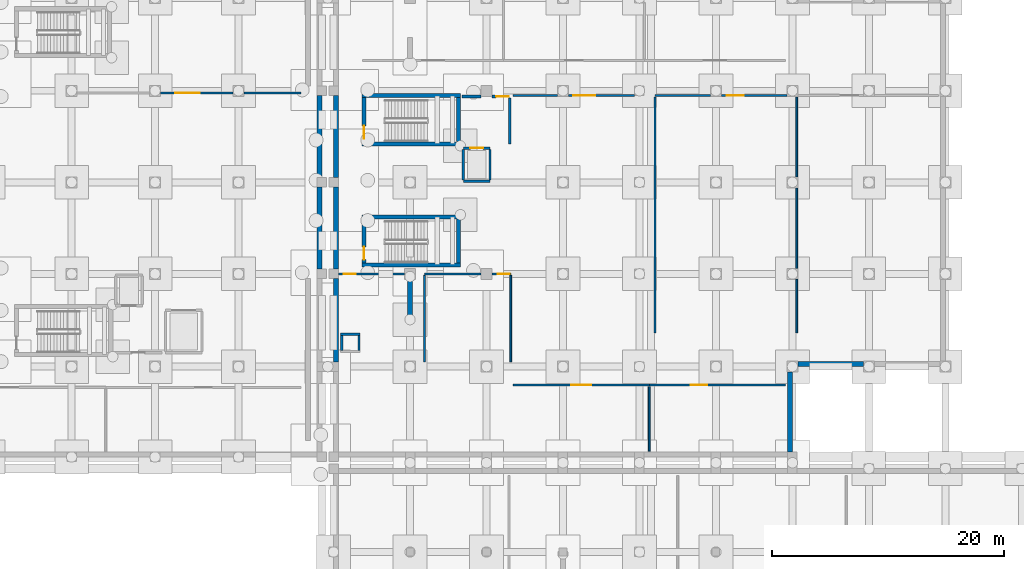
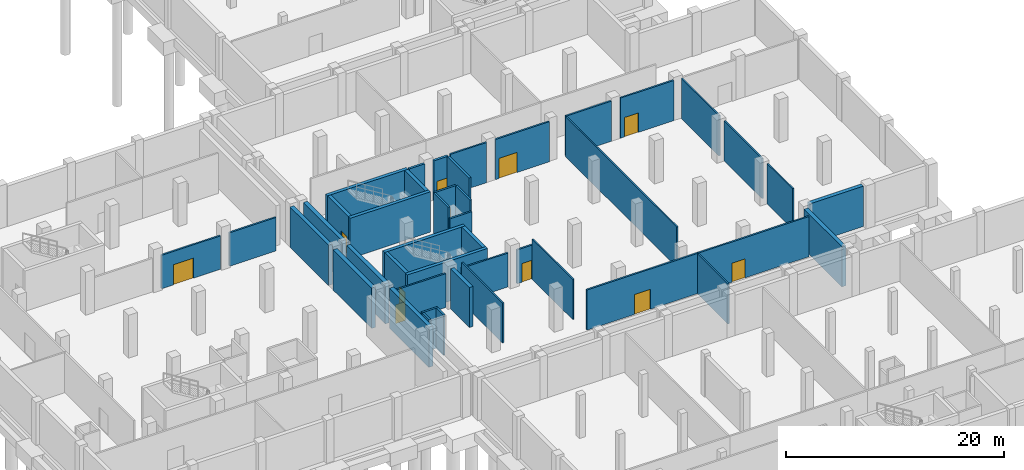
# One storey, part 17 of 29: 44 walls, 11 doors, 11 openings.
"""IFC4 building model written with IfcOpenShell, lengths in metres."""

from ifc_helpers import new_model, si_unit, direction, frame, frame_2d, origin, place, context, subcontext, project, spatial, rectangle, extrude, material, layer, layer_set, type_object, element, fill, save


model = new_model("IFC4")

# Units and contexts
model_context = context("Model", 3, precision=1e-05, world=origin(), true_north=direction((0.0, 1.0)))
body_context = subcontext(model_context, "Body", "Model", "MODEL_VIEW")
ifc_project = project(units=[si_unit("LENGTHUNIT", "METRE"), si_unit("AREAUNIT", "SQUARE_METRE"), si_unit("VOLUMEUNIT", "CUBIC_METRE"), si_unit("PLANEANGLEUNIT", "RADIAN"), si_unit("MASSUNIT", "GRAM", prefix="KILO")], contexts=[model_context])

# Site, building, storey
site_placement = place(None, origin())
site = spatial("IfcSite", under=ifc_project, at=site_placement, CompositionType="ELEMENT")
building_placement = place(site_placement, origin())
building = spatial("IfcBuilding", under=site, at=building_placement, Name="Kelarvand Opera House", CompositionType="ELEMENT")
storey_placement = place(building_placement, frame((0.0, 0.0, -9.60009765625)))
storey = spatial("IfcBuildingStorey", under=building, at=storey_placement, Name="B2", CompositionType="ELEMENT", Elevation=-9.60009765625)

# Walls
ifc_material_1 = material(Name="Acoustic double-stud gypsum partition")
ifc_layer_1 = layer(ifc_material_1, 0.14990234375, Name="Acoustic double-stud gypsum partition")
ifc_layer_set_1 = layer_set([ifc_layer_1], Name="Acoustic double-stud gypsum partition")
wall_type_1 = type_object("IfcWallType", Name="Acoustic Room Partition Wall 150", PredefinedType="PARTITIONING", material=ifc_layer_set_1)
wall_1_placement = place(storey_placement, frame((116.73291015625, 49.5, 0.0), z_axis=(0.0, 0.0, 1.0), x_axis=(0.0, 1.0, 0.0)))
element("IfcWall", 1, at=wall_1_placement, inside=storey, type_object=wall_type_1, Name="V1 B2 Partition Wall IW-150 (34)", PredefinedType="PARTITIONING", context=body_context, shape_type="SweptSolid", body=[
    extrude(rectangle(XDim=20.360107421875, YDim=0.14990234375, at=frame_2d((10.18017578125, 0.0))), origin(), (0.0, 0.0, 1.0), 4.4921875),
])
wall_2_placement = place(storey_placement, frame((128.967041015625, 49.5, 0.0), z_axis=(0.0, 0.0, 1.0), x_axis=(0.0, 1.0, 0.0)))
element("IfcWall", 2, at=wall_2_placement, inside=storey, type_object=wall_type_1, Name="V1 B2 Partition Wall IW-150 (37)", PredefinedType="PARTITIONING", context=body_context, shape_type="SweptSolid", body=[
    extrude(rectangle(XDim=4.625, YDim=0.14990234375, at=frame_2d((2.3125, 0.0))), origin(), (0.0, 0.0, 1.0), 4.4921875),
])
wall_3_placement = place(storey_placement, frame((128.967041015625, 55.074951171875, 0.0), z_axis=(0.0, 0.0, 1.0), x_axis=(0.0, 1.0, 0.0)))
element("IfcWall", 3, at=wall_3_placement, inside=storey, type_object=wall_type_1, Name="V1 B2 Partition Wall IW-150 (38)", PredefinedType="PARTITIONING", context=body_context, shape_type="SweptSolid", body=[
    extrude(rectangle(XDim=6.949951171875, YDim=0.14990234375, at=frame_2d((3.47509765625, 0.0))), origin(), (0.0, 0.0, 1.0), 4.4921875),
])
wall_4_placement = place(storey_placement, frame((128.967041015625, 62.97509765625, 0.0), z_axis=(0.0, 0.0, 1.0), x_axis=(0.0, 1.0, 0.0)))
element("IfcWall", 4, at=wall_4_placement, inside=storey, type_object=wall_type_1, Name="V1 B2 Partition Wall IW-150 (39)", PredefinedType="PARTITIONING", context=body_context, shape_type="SweptSolid", body=[
    extrude(rectangle(XDim=6.885009765625, YDim=0.14990234375, at=frame_2d((3.4423828125, 0.0))), origin(), (0.0, 0.0, 1.0), 4.4921875),
])
for number, where, z_axis, x_axis, name in (
    (5, (96.85009765625, 47.0, 0.0), (0.0, 0.0, 1.0), (0.0, 1.0, 0.0), "V1 B2 Partition Wall IW-150 (43)"),
    (6, (104.300048828125, 47.0, 0.0), (0.0, 0.0, 1.0), (0.0, 1.0, 0.0), "V1 B2 Partition Wall IW-150 (44)"),
):
    element("IfcWall", number, at=place(storey_placement, frame(where, z_axis=z_axis, x_axis=x_axis)), inside=storey, type_object=wall_type_1, Name=name, PredefinedType="PARTITIONING", context=body_context, shape_type="SweptSolid", body=[
        extrude(rectangle(XDim=7.4599609375, YDim=0.14990234375, at=frame_2d((3.72998046875, 0.0))), origin(), (0.0, 0.0, 1.0), 4.4921875),
    ])
wall_5_placement = place(storey_placement, frame((116.25, 39.300048828125, 0.0), z_axis=(0.0, 0.0, 1.0), x_axis=(0.0, 1.0, 0.0)))
element("IfcWall", 7, at=wall_5_placement, inside=storey, type_object=wall_type_1, Name="V1 B2 Partition Wall IW-150 (54)", PredefinedType="PARTITIONING", context=body_context, shape_type="SweptSolid", body=[
    extrude(rectangle(XDim=5.56005859375, YDim=0.14990234375, at=frame_2d((2.780029296875, 0.0))), origin(), (0.0, 0.0, 1.0), 4.4921875),
])
ifc_material_2 = material(Name="Concrete C35/45", Category="concrete")
ifc_layer_2 = layer(ifc_material_2, 0.419921875, Name="Concrete C35/45", Category="concrete")
ifc_layer_set_2 = layer_set([ifc_layer_2], Name="Concrete C35/45")
wall_type_2 = type_object("IfcWallType", Name="Basement Perimeter Retaining Wall 420", PredefinedType="SHEAR", material=ifc_layer_set_2)
wall_6_placement = place(storey_placement, frame((89.2099609375, 47.010009765625, 0.0), z_axis=(0.0, 0.0, 1.0), x_axis=(0.0, 1.0, 0.0)))
element("IfcWall", 8, at=wall_6_placement, inside=storey, type_object=wall_type_2, Name="V1 B2 Retaining Wall 8", PredefinedType="SHEAR", context=body_context, shape_type="SweptSolid", body=[
    extrude(rectangle(XDim=7.179931640625, YDim=0.419921875, at=frame_2d((3.58984375, 0.0))), origin(), (0.0, 0.0, 1.0), 4.5),
])
for number, where, z_axis, x_axis, name in (
    (9, (89.2099609375, 55.010009765625, 0.0), (0.0, 0.0, 1.0), (0.0, 1.0, 0.0), "V1 B2 Retaining Wall 9"),
    (10, (89.2099609375, 62.909912109375, 0.0), (0.0, 0.0, 1.0), (0.0, 1.0, 0.0), "V1 B2 Retaining Wall 10"),
):
    element("IfcWall", number, at=place(storey_placement, frame(where, z_axis=z_axis, x_axis=x_axis)), inside=storey, type_object=wall_type_2, Name=name, PredefinedType="SHEAR", context=body_context, shape_type="SweptSolid", body=[
        extrude(rectangle(XDim=7.080078125, YDim=0.419921875, at=frame_2d((3.5400390625, 0.0))), origin(), (0.0, 0.0, 1.0), 4.5),
    ])
wall_7_placement = place(storey_placement, frame((134.72509765625, 46.81005859375, 0.0), z_axis=(0.0, 0.0, 1.0), x_axis=(-1.0, 0.0, 0.0)))
element("IfcWall", 11, at=wall_7_placement, inside=storey, type_object=wall_type_2, Name="V1 B2 Retaining Wall 27", PredefinedType="SHEAR", context=body_context, shape_type="SweptSolid", body=[
    extrude(rectangle(XDim=5.650146484375, YDim=0.419921875, at=frame_2d((2.8251953125, 0.0))), origin(), (0.0, 0.0, 1.0), 4.5),
])
wall_8_placement = place(storey_placement, frame((128.389892578125, 46.125, 0.0), z_axis=(0.0, 0.0, 1.0), x_axis=(0.0, -1.0, 0.0)))
element("IfcWall", 12, at=wall_8_placement, inside=storey, type_object=wall_type_2, Name="V1 B2 Retaining Wall 28", PredefinedType="SHEAR", context=body_context, shape_type="SweptSolid", body=[
    extrude(rectangle(XDim=6.9150390625, YDim=0.419921875, at=frame_2d((3.45751953125, 0.0))), origin(), (0.0, 0.0, 1.0), 4.5),
])
for number, where, z_axis, x_axis, name in (
    (13, (87.7900390625, 69.989990234375, 0.0), (0.0, 0.0, 1.0), (0.0, -1.0, 0.0), "V2 B2 Retaining Wall 178"),
    (14, (87.7900390625, 62.090087890625, 0.0), (0.0, 0.0, 1.0), (0.0, -1.0, 0.0), "V2 B2 Retaining Wall 179"),
):
    element("IfcWall", number, at=place(storey_placement, frame(where, z_axis=z_axis, x_axis=x_axis)), inside=storey, type_object=wall_type_2, Name=name, PredefinedType="SHEAR", context=body_context, shape_type="SweptSolid", body=[
        extrude(rectangle(XDim=7.080078125, YDim=0.419921875, at=frame_2d((3.5400390625, 0.0))), origin(), (0.0, 0.0, 1.0), 4.5),
    ])
ifc_material_3 = material(Name="Concrete C40/50", Category="concrete")
ifc_layer_3 = layer(ifc_material_3, 0.35009765625, Name="Concrete C40/50", Category="concrete")
ifc_layer_set_3 = layer_set([ifc_layer_3], Name="Concrete C40/50")
wall_type_3 = type_object("IfcWallType", Name="Core Stair and Lift Shear Wall 350", PredefinedType="SHEAR", material=ifc_layer_set_3)
for number, where, z_axis, x_axis, name in (
    (15, (91.449951171875, 65.824951171875, 0.0), (0.0, 0.0, 1.0), (1.0, 0.0, 0.0), "C1 Stair Core Shear Wall S B2"),
    (16, (99.949951171875, 69.97509765625, 0.0), (0.0, 0.0, 1.0), (-1.0, 0.0, 0.0), "C1 Stair Core Shear Wall N B2"),
):
    element("IfcWall", number, at=place(storey_placement, frame(where, z_axis=z_axis, x_axis=x_axis)), inside=storey, type_object=wall_type_3, Name=name, PredefinedType="SHEAR", context=body_context, shape_type="SweptSolid", body=[
        extrude(rectangle(XDim=8.5, YDim=0.35009765625, at=frame_2d((4.25, 0.0))), origin(), (0.0, 0.0, 1.0), 4.5),
    ])

# Wall, opening, door
wall_9_placement = place(storey_placement, frame((91.625, 66.0, 0.0), z_axis=(0.0, 0.0, 1.0), x_axis=(0.0, 1.0, 0.0)))
wall_9 = element("IfcWall", 17, at=wall_9_placement, inside=storey, type_object=wall_type_3, Name="C1 Stair Core Shear Wall W B2", PredefinedType="SHEAR", context=body_context, shape_type="SweptSolid", body=[
    extrude(rectangle(XDim=3.800048828125, YDim=0.35009765625, at=frame_2d((1.89990234375, 0.0))), origin(), (0.0, 0.0, 1.0), 4.5),
])
opening_1_placement = place(wall_9_placement, frame((0.280029296875, 0.0, 0.0)))
opening_1 = element("IfcOpeningElement", 18, at=opening_1_placement, cuts=wall_9, Name="Opening FD-01", PredefinedType="OPENING", context=body_context, shape_type="SweptSolid", body=[
    extrude(rectangle(XDim=1.10009765625, YDim=2.080078125, at=frame_2d((0.550048828125, 1.0400390625))), frame((0.0, 0.18505859375, 0.0), z_axis=(0.0, -1.0, 0.0), x_axis=(1.0, 0.0, 0.0)), (0.0, 0.0, 1.0), 0.3701171875),
])
ifc_material_4 = material(Name="Fire-rated brushed stainless steel", Category="steel")
door_type_1 = type_object("IfcDoorType", Name="Steel Fire-Rated Stair and FF Lobby Door 1100x2080", OperationType="NOTDEFINED", PredefinedType="DOOR", material=ifc_material_4)
door_1_placement = place(opening_1_placement, origin())
door_1 = element("IfcDoor", 19, at=door_1_placement, inside=storey, type_object=door_type_1, Name="C1 Stair ST-01 Fire Door B2", OperationType="SINGLE_SWING_RIGHT", OverallHeight=2.080078125, OverallWidth=1.10009765625, PredefinedType="DOOR", context=body_context, shape_type="SweptSolid", body=[
    extrude(rectangle(XDim=1.10009765625, YDim=2.080078125, at=frame_2d((0.550048828125, 1.0400390625))), frame((0.0, 0.02490234375, 0.0), z_axis=(0.0, -1.0, 0.0), x_axis=(1.0, 0.0, 0.0)), (0.0, 0.0, 1.0), 0.050048828125),
])
fill(opening_1, door_1)

# Walls
wall_10_placement = place(storey_placement, frame((99.77490234375, 69.800048828125, 0.0), z_axis=(0.0, 0.0, 1.0), x_axis=(0.0, -1.0, 0.0)))
element("IfcWall", 20, at=wall_10_placement, inside=storey, type_object=wall_type_3, Name="C1 Stair Core Shear Wall E B2", PredefinedType="SHEAR", context=body_context, shape_type="SweptSolid", body=[
    extrude(rectangle(XDim=3.800048828125, YDim=0.35009765625, at=frame_2d((1.89990234375, 0.0))), origin(), (0.0, 0.0, 1.0), 4.5),
])
for number, where, z_axis, x_axis, name in (
    (21, (91.449951171875, 55.375, 0.0), (0.0, 0.0, 1.0), (1.0, 0.0, 0.0), "C4 Stair Core Shear Wall S B2"),
    (22, (99.949951171875, 59.52490234375, 0.0), (0.0, 0.0, 1.0), (-1.0, 0.0, 0.0), "C4 Stair Core Shear Wall N B2"),
):
    element("IfcWall", number, at=place(storey_placement, frame(where, z_axis=z_axis, x_axis=x_axis)), inside=storey, type_object=wall_type_3, Name=name, PredefinedType="SHEAR", context=body_context, shape_type="SweptSolid", body=[
        extrude(rectangle(XDim=8.5, YDim=0.35009765625, at=frame_2d((4.25, 0.0))), origin(), (0.0, 0.0, 1.0), 4.5),
    ])

# Wall, opening, door
wall_11_placement = place(storey_placement, frame((91.625, 55.550048828125, 0.0), z_axis=(0.0, 0.0, 1.0), x_axis=(0.0, 1.0, 0.0)))
wall_11 = element("IfcWall", 23, at=wall_11_placement, inside=storey, type_object=wall_type_3, Name="C4 Stair Core Shear Wall W B2", PredefinedType="SHEAR", context=body_context, shape_type="SweptSolid", body=[
    extrude(rectangle(XDim=3.800048828125, YDim=0.35009765625, at=frame_2d((1.89990234375, 0.0))), origin(), (0.0, 0.0, 1.0), 4.5),
])
opening_2_placement = place(wall_11_placement, frame((0.280029296875, 0.0, 0.0)))
opening_2 = element("IfcOpeningElement", 24, at=opening_2_placement, cuts=wall_11, Name="Opening FD-01", PredefinedType="OPENING", context=body_context, shape_type="SweptSolid", body=[
    extrude(rectangle(XDim=1.10009765625, YDim=2.080078125, at=frame_2d((0.550048828125, 1.0400390625))), frame((0.0, 0.18505859375, 0.0), z_axis=(0.0, -1.0, 0.0), x_axis=(1.0, 0.0, 0.0)), (0.0, 0.0, 1.0), 0.3701171875),
])
door_2_placement = place(opening_2_placement, origin())
door_2 = element("IfcDoor", 25, at=door_2_placement, inside=storey, type_object=door_type_1, Name="C4 Stair ST-04 Fire Door B2", OperationType="SINGLE_SWING_LEFT", OverallHeight=2.080078125, OverallWidth=1.10009765625, PredefinedType="DOOR", context=body_context, shape_type="SweptSolid", body=[
    extrude(rectangle(XDim=1.10009765625, YDim=2.080078125, at=frame_2d((0.550048828125, 1.0400390625))), frame((0.0, 0.02490234375, 0.0), z_axis=(0.0, -1.0, 0.0), x_axis=(1.0, 0.0, 0.0)), (0.0, 0.0, 1.0), 0.050048828125),
])
fill(opening_2, door_2)

# Walls
wall_12_placement = place(storey_placement, frame((99.77490234375, 59.35009765625, 0.0), z_axis=(0.0, 0.0, 1.0), x_axis=(0.0, -1.0, 0.0)))
element("IfcWall", 26, at=wall_12_placement, inside=storey, type_object=wall_type_3, Name="C4 Stair Core Shear Wall E B2", PredefinedType="SHEAR", context=body_context, shape_type="SweptSolid", body=[
    extrude(rectangle(XDim=3.800048828125, YDim=0.35009765625, at=frame_2d((1.89990234375, 0.0))), origin(), (0.0, 0.0, 1.0), 4.5),
])
ifc_layer_4 = layer(ifc_material_2, 0.179931640625, Name="Concrete C35/45", Category="concrete")
ifc_layer_set_4 = layer_set([ifc_layer_4], Name="Concrete C35/45")
wall_type_4 = type_object("IfcWallType", Name="Corridor Fire-Rated Partition Wall 180 EI90", PredefinedType="PARTITIONING", material=ifc_layer_set_4)
wall_13_placement = place(storey_placement, frame((104.5, 70.0, 0.0), z_axis=(0.0, 0.0, 1.0), x_axis=(1.0, 0.0, 0.0)))
element("IfcWall", 27, at=wall_13_placement, inside=storey, type_object=wall_type_4, Name="V1 B2 Partition Wall IW-90 (32)", PredefinedType="PARTITIONING", context=body_context, shape_type="SweptSolid", body=[
    extrude(rectangle(XDim=3.824951171875, YDim=0.179931640625, at=frame_2d((1.91259765625, 0.0))), origin(), (0.0, 0.0, 1.0), 4.4921875),
])

# Wall, opening, door
wall_14_placement = place(storey_placement, frame((109.27490234375, 70.0, 0.0), z_axis=(0.0, 0.0, 1.0), x_axis=(1.0, 0.0, 0.0)))
wall_14 = element("IfcWall", 28, at=wall_14_placement, inside=storey, type_object=wall_type_4, Name="V1 B2 Partition Wall IW-90 (33)", PredefinedType="PARTITIONING", context=body_context, shape_type="SweptSolid", body=[
    extrude(rectangle(XDim=5.715087890625, YDim=0.179931640625, at=frame_2d((2.857421875, 0.0))), origin(), (0.0, 0.0, 1.0), 4.4921875),
])
opening_3_placement = place(wall_14_placement, frame((0.39208984375, 0.0, 0.0)))
opening_3 = element("IfcOpeningElement", 29, at=opening_3_placement, cuts=wall_14, Name="Opening D-16", PredefinedType="OPENING", context=body_context, shape_type="SweptSolid", body=[
    extrude(rectangle(XDim=1.89990234375, YDim=2.260009765625, at=frame_2d((0.949951171875, 1.1298828125))), frame((0.0, 0.10009765625, 0.0), z_axis=(0.0, -1.0, 0.0), x_axis=(1.0, 0.0, 0.0)), (0.0, 0.0, 1.0), 0.199951171875),
])
ifc_material_5 = material(Name="Acoustic walnut-veneered hardwood", Category="wood")
door_type_2 = type_object("IfcDoorType", Name="Orchestra Warm-Up Double Door 1900x2260", OperationType="NOTDEFINED", PredefinedType="DOOR", material=ifc_material_5)
door_3_placement = place(opening_3_placement, origin())
door_3 = element("IfcDoor", 30, at=door_3_placement, inside=storey, type_object=door_type_2, Name="V1 B2 Door D-16 (10)", OperationType="DOUBLE_DOOR_SINGLE_SWING", OverallHeight=2.260009765625, OverallWidth=1.89990234375, PredefinedType="DOOR", context=body_context, shape_type="SweptSolid", body=[
    extrude(rectangle(XDim=1.89990234375, YDim=2.260009765625, at=frame_2d((0.949951171875, 1.1298828125))), frame((0.0, 0.02490234375, 0.0), z_axis=(0.0, -1.0, 0.0), x_axis=(1.0, 0.0, 0.0)), (0.0, 0.0, 1.0), 0.050048828125),
])
fill(opening_3, door_3)

# Wall
wall_15_placement = place(storey_placement, frame((116.73291015625, 70.0, 0.0), z_axis=(0.0, 0.0, 1.0), x_axis=(1.0, 0.0, 0.0)))
element("IfcWall", 31, at=wall_15_placement, inside=storey, type_object=wall_type_4, Name="V1 B2 Partition Wall IW-90 (35)", PredefinedType="PARTITIONING", context=body_context, shape_type="SweptSolid", body=[
    extrude(rectangle(XDim=4.7919921875, YDim=0.179931640625, at=frame_2d((2.39599609375, 0.0))), origin(), (0.0, 0.0, 1.0), 4.4921875),
])

# Wall, opening, door
wall_16_placement = place(storey_placement, frame((122.47509765625, 70.0, 0.0), z_axis=(0.0, 0.0, 1.0), x_axis=(1.0, 0.0, 0.0)))
wall_16 = element("IfcWall", 32, at=wall_16_placement, inside=storey, type_object=wall_type_4, Name="V1 B2 Partition Wall IW-90 (36)", PredefinedType="PARTITIONING", context=body_context, shape_type="SweptSolid", body=[
    extrude(rectangle(XDim=5.64990234375, YDim=0.179931640625, at=frame_2d((2.824951171875, 0.0))), origin(), (0.0, 0.0, 1.0), 4.4921875),
])
opening_4_placement = place(wall_16_placement, frame((0.445068359375, 0.0, 0.0)))
opening_4 = element("IfcOpeningElement", 33, at=opening_4_placement, cuts=wall_16, Name="Opening D-13", PredefinedType="OPENING", context=body_context, shape_type="SweptSolid", body=[
    extrude(rectangle(XDim=1.47998046875, YDim=2.179931640625, at=frame_2d((0.739990234375, 1.08984375))), frame((0.0, 0.10009765625, 0.0), z_axis=(0.0, -1.0, 0.0), x_axis=(1.0, 0.0, 0.0)), (0.0, 0.0, 1.0), 0.199951171875),
])
door_type_3 = type_object("IfcDoorType", Name="Academy Recital Double Door 1480x2180", OperationType="NOTDEFINED", PredefinedType="DOOR", material=ifc_material_5)
door_4_placement = place(opening_4_placement, origin())
door_4 = element("IfcDoor", 34, at=door_4_placement, inside=storey, type_object=door_type_3, Name="V1 B2 Door D-13 (11)", OperationType="DOUBLE_DOOR_SINGLE_SWING", OverallHeight=2.179931640625, OverallWidth=1.47998046875, PredefinedType="DOOR", context=body_context, shape_type="SweptSolid", body=[
    extrude(rectangle(XDim=1.47998046875, YDim=2.179931640625, at=frame_2d((0.739990234375, 1.08984375))), frame((0.0, 0.02490234375, 0.0), z_axis=(0.0, -1.0, 0.0), x_axis=(1.0, 0.0, 0.0)), (0.0, 0.0, 1.0), 0.050048828125),
])
fill(opening_4, door_4)

wall_17_placement = place(storey_placement, frame((89.409912109375, 54.60009765625, 0.0), z_axis=(0.0, 0.0, 1.0), x_axis=(1.0, 0.0, 0.0)))
wall_17 = element("IfcWall", 35, at=wall_17_placement, inside=storey, type_object=wall_type_4, Name="V1 B2 Partition Wall IW-90 (42)", PredefinedType="PARTITIONING", context=body_context, shape_type="SweptSolid", body=[
    extrude(rectangle(XDim=5.715087890625, YDim=0.179931640625, at=frame_2d((2.857421875, 0.0))), origin(), (0.0, 0.0, 1.0), 3.7919921875),
])
opening_5_placement = place(wall_17_placement, frame((0.455078125, 0.0, 0.0)))
opening_5 = element("IfcOpeningElement", 36, at=opening_5_placement, cuts=wall_17, Name="Opening D-02", PredefinedType="OPENING", context=body_context, shape_type="SweptSolid", body=[
    extrude(rectangle(XDim=1.050048828125, YDim=2.10009765625, at=frame_2d((0.52490234375, 1.050048828125))), frame((0.0, 0.10009765625, 0.0), z_axis=(0.0, -1.0, 0.0), x_axis=(1.0, 0.0, 0.0)), (0.0, 0.0, 1.0), 0.199951171875),
])
door_type_4 = type_object("IfcDoorType", Name="Acoustic Studio Single Door 1050x2100", OperationType="NOTDEFINED", PredefinedType="DOOR", material=ifc_material_5)
door_5_placement = place(opening_5_placement, origin())
door_5 = element("IfcDoor", 37, at=door_5_placement, inside=storey, type_object=door_type_4, Name="V1 B2 Door D-02 (13)", OperationType="SINGLE_SWING_RIGHT", OverallHeight=2.10009765625, OverallWidth=1.050048828125, PredefinedType="DOOR", context=body_context, shape_type="SweptSolid", body=[
    extrude(rectangle(XDim=1.050048828125, YDim=2.10009765625, at=frame_2d((0.52490234375, 1.050048828125))), frame((0.0, 0.02490234375, 0.0), z_axis=(0.0, -1.0, 0.0), x_axis=(1.0, 0.0, 0.0)), (0.0, 0.0, 1.0), 0.050048828125),
])
fill(opening_5, door_5)

# Wall
wall_18_placement = place(storey_placement, frame((96.85009765625, 54.60009765625, 0.0), z_axis=(0.0, 0.0, 1.0), x_axis=(1.0, 0.0, 0.0)))
element("IfcWall", 38, at=wall_18_placement, inside=storey, type_object=wall_type_4, Name="V1 B2 Partition Wall IW-90 (45)", PredefinedType="PARTITIONING", context=body_context, shape_type="SweptSolid", body=[
    extrude(rectangle(XDim=4.875, YDim=0.179931640625, at=frame_2d((2.4375, 0.0))), origin(), (0.0, 0.0, 1.0), 3.7919921875),
])

# Wall, opening, door
wall_19_placement = place(storey_placement, frame((102.675048828125, 54.60009765625, 0.0), z_axis=(0.0, 0.0, 1.0), x_axis=(1.0, 0.0, 0.0)))
wall_19 = element("IfcWall", 39, at=wall_19_placement, inside=storey, type_object=wall_type_4, Name="V1 B2 Partition Wall IW-90 (46)", PredefinedType="PARTITIONING", context=body_context, shape_type="SweptSolid", body=[
    extrude(rectangle(XDim=1.625, YDim=0.179931640625, at=frame_2d((0.8125, 0.0))), origin(), (0.0, 0.0, 1.0), 3.7919921875),
])
opening_6_placement = place(wall_19_placement, frame((0.4951171875, 0.0, 0.0)))
opening_6 = element("IfcOpeningElement", 40, at=opening_6_placement, cuts=wall_19, Name="Opening D-02", PredefinedType="OPENING", context=body_context, shape_type="SweptSolid", body=[
    extrude(rectangle(XDim=1.050048828125, YDim=2.10009765625, at=frame_2d((0.52490234375, 1.050048828125))), frame((0.0, 0.10009765625, 0.0), z_axis=(0.0, -1.0, 0.0), x_axis=(1.0, 0.0, 0.0)), (0.0, 0.0, 1.0), 0.199951171875),
])
door_6_placement = place(opening_6_placement, origin())
door_6 = element("IfcDoor", 41, at=door_6_placement, inside=storey, type_object=door_type_4, Name="V1 B2 Door D-02 (14)", OperationType="SINGLE_SWING_LEFT", OverallHeight=2.10009765625, OverallWidth=1.050048828125, PredefinedType="DOOR", context=body_context, shape_type="SweptSolid", body=[
    extrude(rectangle(XDim=1.050048828125, YDim=2.10009765625, at=frame_2d((0.52490234375, 1.050048828125))), frame((0.0, 0.02490234375, 0.0), z_axis=(0.0, -1.0, 0.0), x_axis=(1.0, 0.0, 0.0)), (0.0, 0.0, 1.0), 0.050048828125),
])
fill(opening_6, door_6)

wall_20_placement = place(storey_placement, frame((104.5, 45.0, 0.0), z_axis=(0.0, 0.0, 1.0), x_axis=(1.0, 0.0, 0.0)))
wall_20 = element("IfcWall", 42, at=wall_20_placement, inside=storey, type_object=wall_type_4, Name="V1 B2 Partition Wall IW-90 (53)", PredefinedType="PARTITIONING", context=body_context, shape_type="SweptSolid", body=[
    extrude(rectangle(XDim=11.75, YDim=0.179931640625, at=frame_2d((5.875, 0.0))), origin(), (0.0, 0.0, 1.0), 4.4921875),
])
opening_7_placement = place(wall_20_placement, frame((5.014892578125, 0.0, 0.0)))
opening_7 = element("IfcOpeningElement", 43, at=opening_7_placement, cuts=wall_20, Name="Opening D-15", PredefinedType="OPENING", context=body_context, shape_type="SweptSolid", body=[
    extrude(rectangle(XDim=1.719970703125, YDim=2.219970703125, at=frame_2d((0.85986328125, 1.10986328125))), frame((0.0, 0.10009765625, 0.0), z_axis=(0.0, -1.0, 0.0), x_axis=(1.0, 0.0, 0.0)), (0.0, 0.0, 1.0), 0.199951171875),
])
door_type_5 = type_object("IfcDoorType", Name="Broadcast Control Double Door 1720x2220", OperationType="NOTDEFINED", PredefinedType="DOOR", material=ifc_material_5)
door_7_placement = place(opening_7_placement, origin())
door_7 = element("IfcDoor", 44, at=door_7_placement, inside=storey, type_object=door_type_5, Name="V1 B2 Door D-15 (18)", OperationType="DOUBLE_DOOR_SINGLE_SWING", OverallHeight=2.219970703125, OverallWidth=1.719970703125, PredefinedType="DOOR", context=body_context, shape_type="SweptSolid", body=[
    extrude(rectangle(XDim=1.719970703125, YDim=2.219970703125, at=frame_2d((0.85986328125, 1.10986328125))), frame((0.0, 0.02490234375, 0.0), z_axis=(0.0, -1.0, 0.0), x_axis=(1.0, 0.0, 0.0)), (0.0, 0.0, 1.0), 0.050048828125),
])
fill(opening_7, door_7)

wall_21_placement = place(storey_placement, frame((116.25, 45.0, 0.0), z_axis=(0.0, 0.0, 1.0), x_axis=(1.0, 0.0, 0.0)))
wall_21 = element("IfcWall", 45, at=wall_21_placement, inside=storey, type_object=wall_type_4, Name="V1 B2 Partition Wall IW-90 (55)", PredefinedType="PARTITIONING", context=body_context, shape_type="SweptSolid", body=[
    extrude(rectangle(XDim=11.75, YDim=0.179931640625, at=frame_2d((5.875, 0.0))), origin(), (0.0, 0.0, 1.0), 4.4921875),
])
opening_8_placement = place(wall_21_placement, frame((3.593994140625, 0.0, 0.0)))
opening_8 = element("IfcOpeningElement", 46, at=opening_8_placement, cuts=wall_21, Name="Opening D-03", PredefinedType="OPENING", context=body_context, shape_type="SweptSolid", body=[
    extrude(rectangle(XDim=1.39990234375, YDim=2.1201171875, at=frame_2d((0.699951171875, 1.06005859375))), frame((0.0, 0.10009765625, 0.0), z_axis=(0.0, -1.0, 0.0), x_axis=(1.0, 0.0, 0.0)), (0.0, 0.0, 1.0), 0.199951171875),
])
door_type_6 = type_object("IfcDoorType", Name="Plant and Archive Double Leaf Door 1400x2120", OperationType="NOTDEFINED", PredefinedType="DOOR", material=ifc_material_5)
door_8_placement = place(opening_8_placement, origin())
door_8 = element("IfcDoor", 47, at=door_8_placement, inside=storey, type_object=door_type_6, Name="V1 B2 Door D-03 (19)", OperationType="DOUBLE_DOOR_SINGLE_SWING", OverallHeight=2.1201171875, OverallWidth=1.39990234375, PredefinedType="DOOR", context=body_context, shape_type="SweptSolid", body=[
    extrude(rectangle(XDim=1.39990234375, YDim=2.1201171875, at=frame_2d((0.699951171875, 1.06005859375))), frame((0.0, 0.02490234375, 0.0), z_axis=(0.0, -1.0, 0.0), x_axis=(1.0, 0.0, 0.0)), (0.0, 0.0, 1.0), 0.050048828125),
])
fill(opening_8, door_8)

wall_22_placement = place(storey_placement, frame((74.074951171875, 70.199951171875, 0.0), z_axis=(0.0, 0.0, 1.0), x_axis=(1.0, 0.0, 0.0)))
wall_22 = element("IfcWall", 48, at=wall_22_placement, inside=storey, type_object=wall_type_4, Name="V2 B2 Partition Wall IW-90 (57)", PredefinedType="PARTITIONING", context=body_context, shape_type="SweptSolid", body=[
    extrude(rectangle(XDim=6.25, YDim=0.179931640625, at=frame_2d((3.125, 0.0))), origin(), (0.0, 0.0, 1.0), 3.7421875),
])
opening_9_placement = place(wall_22_placement, frame((1.27490234375, 0.0, 0.0)))
opening_9 = element("IfcOpeningElement", 49, at=opening_9_placement, cuts=wall_22, Name="Opening D-08", PredefinedType="OPENING", context=body_context, shape_type="SweptSolid", body=[
    extrude(rectangle(XDim=2.10009765625, YDim=2.25, at=frame_2d((1.050048828125, 1.125))), frame((0.0, 0.10009765625, 0.0), z_axis=(0.0, -1.0, 0.0), x_axis=(1.0, 0.0, 0.0)), (0.0, 0.0, 1.0), 0.199951171875),
])
door_type_7 = type_object("IfcDoorType", Name="Foyer Intermission Double Glazed Door 2100x2250", OperationType="NOTDEFINED", PredefinedType="DOOR", material=ifc_material_5)
door_9_placement = place(opening_9_placement, origin())
door_9 = element("IfcDoor", 50, at=door_9_placement, inside=storey, type_object=door_type_7, Name="V2 B2 Door D-08 (20)", OperationType="DOUBLE_DOOR_SINGLE_SWING", OverallHeight=2.25, OverallWidth=2.10009765625, PredefinedType="DOOR", context=body_context, shape_type="SweptSolid", body=[
    extrude(rectangle(XDim=2.10009765625, YDim=2.25, at=frame_2d((1.050048828125, 1.125))), frame((0.0, 0.02490234375, 0.0), z_axis=(0.0, -1.0, 0.0), x_axis=(1.0, 0.0, 0.0)), (0.0, 0.0, 1.0), 0.050048828125),
])
fill(opening_9, door_9)

# Wall
wall_23_placement = place(storey_placement, frame((81.27490234375, 70.199951171875, 0.0), z_axis=(0.0, 0.0, 1.0), x_axis=(1.0, 0.0, 0.0)))
element("IfcWall", 51, at=wall_23_placement, inside=storey, type_object=wall_type_4, Name="V2 B2 Partition Wall IW-90 (58)", PredefinedType="PARTITIONING", context=body_context, shape_type="SweptSolid", body=[
    extrude(rectangle(XDim=4.925048828125, YDim=0.179931640625, at=frame_2d((2.46240234375, 0.0))), origin(), (0.0, 0.0, 1.0), 3.7421875),
])

# Wall, opening, door
ifc_layer_5 = layer(ifc_material_2, 0.239990234375, Name="Concrete C35/45", Category="concrete")
ifc_layer_set_5 = layer_set([ifc_layer_5], Name="Concrete C35/45")
wall_type_5 = type_object("IfcWallType", Name="Firefighting Lobby Partition Wall 240 EI120", PredefinedType="PARTITIONING", material=ifc_layer_set_5)
wall_24_placement = place(storey_placement, frame((104.199951171875, 69.89990234375, 0.0), z_axis=(0.0, 0.0, 1.0), x_axis=(-1.0, 0.0, 0.0)))
wall_24 = element("IfcWall", 52, at=wall_24_placement, inside=storey, type_object=wall_type_5, Name="V1 B2 Partition Wall IW-120 (5)", PredefinedType="PARTITIONING", context=body_context, shape_type="SweptSolid", body=[
    extrude(rectangle(XDim=1.52490234375, YDim=0.239990234375, at=frame_2d((0.762451171875, 0.0))), origin(), (0.0, 0.0, 1.0), 4.4921875),
])
opening_10_placement = place(wall_24_placement, frame((0.080078125, 0.0, 0.0)))
opening_10 = element("IfcOpeningElement", 53, at=opening_10_placement, cuts=wall_24, Name="Opening FD-01", PredefinedType="OPENING", context=body_context, shape_type="SweptSolid", body=[
    extrude(rectangle(XDim=1.10009765625, YDim=2.080078125, at=frame_2d((0.550048828125, 1.0400390625))), frame((0.0, 0.1298828125, 0.0), z_axis=(0.0, -1.0, 0.0), x_axis=(1.0, 0.0, 0.0)), (0.0, 0.0, 1.0), 0.260009765625),
])
door_10_placement = place(opening_10_placement, origin())
door_10 = element("IfcDoor", 54, at=door_10_placement, inside=storey, type_object=door_type_1, Name="V1 B2 Door FD-01 (2)", OperationType="SINGLE_SWING_RIGHT", OverallHeight=2.080078125, OverallWidth=1.10009765625, PredefinedType="DOOR", context=body_context, shape_type="SweptSolid", body=[
    extrude(rectangle(XDim=1.10009765625, YDim=2.080078125, at=frame_2d((0.550048828125, 1.0400390625))), frame((0.0, 0.02490234375, 0.0), z_axis=(0.0, -1.0, 0.0), x_axis=(1.0, 0.0, 0.0)), (0.0, 0.0, 1.0), 0.050048828125),
])
fill(opening_10, door_10)

# Walls
wall_25_placement = place(storey_placement, frame((101.72509765625, 69.89990234375, 0.0), z_axis=(0.0, 0.0, 1.0), x_axis=(-1.0, 0.0, 0.0)))
element("IfcWall", 55, at=wall_25_placement, inside=storey, type_object=wall_type_5, Name="V1 B2 Partition Wall IW-120 (6)", PredefinedType="PARTITIONING", context=body_context, shape_type="SweptSolid", body=[
    extrude(rectangle(XDim=1.625, YDim=0.239990234375, at=frame_2d((0.8125, 0.0))), origin(), (0.0, 0.0, 1.0), 4.4921875),
])
wall_26_placement = place(storey_placement, frame((104.199951171875, 69.760009765625, 0.0), z_axis=(0.0, 0.0, 1.0), x_axis=(0.0, -1.0, 0.0)))
element("IfcWall", 56, at=wall_26_placement, inside=storey, type_object=wall_type_5, Name="V1 B2 Partition Wall IW-120 (7)", PredefinedType="PARTITIONING", context=body_context, shape_type="SweptSolid", body=[
    extrude(rectangle(XDim=3.9599609375, YDim=0.239990234375, at=frame_2d((1.97998046875, 0.0))), origin(), (0.0, 0.0, 1.0), 4.4921875),
])
ifc_layer_6 = layer(ifc_material_2, 0.199951171875, Name="Concrete C35/45", Category="concrete")
ifc_layer_set_6 = layer_set([ifc_layer_6], Name="Concrete C35/45")
wall_type_6 = type_object("IfcWallType", Name="Lift and Riser Shaft Enclosure Wall 200 EI120", PredefinedType="PARTITIONING", material=ifc_layer_set_6)
wall_27_placement = place(storey_placement, frame((91.300048828125, 49.39990234375, 0.0), z_axis=(0.0, 0.0, 1.0), x_axis=(-1.0, 0.0, 0.0)))
element("IfcWall", 57, at=wall_27_placement, inside=storey, type_object=wall_type_6, Name="RSR-V1 B2 Riser Shaft Wall 2", PredefinedType="PARTITIONING", context=body_context, shape_type="SweptSolid", body=[
    extrude(rectangle(XDim=1.699951171875, YDim=0.199951171875, at=frame_2d((0.85009765625, 0.0))), origin(), (0.0, 0.0, 1.0), 4.5),
])
for number, where, z_axis, x_axis, name in (
    (58, (89.699951171875, 48.0, 0.0), (0.0, 0.0, 1.0), (0.0, 1.0, 0.0), "RSR-V1 B2 Riser Shaft Wall 3"),
    (59, (91.199951171875, 49.300048828125, 0.0), (0.0, 0.0, 1.0), (0.0, -1.0, 0.0), "RSR-V1 B2 Riser Shaft Wall 4"),
):
    element("IfcWall", number, at=place(storey_placement, frame(where, z_axis=z_axis, x_axis=x_axis)), inside=storey, type_object=wall_type_6, Name=name, PredefinedType="PARTITIONING", context=body_context, shape_type="SweptSolid", body=[
        extrude(rectangle(XDim=1.300048828125, YDim=0.199951171875, at=frame_2d((0.64990234375, 0.0))), origin(), (0.0, 0.0, 1.0), 4.5),
    ])
wall_28_placement = place(storey_placement, frame((100.199951171875, 62.60009765625, 0.0), z_axis=(0.0, 0.0, 1.0), x_axis=(1.0, 0.0, 0.0)))
element("IfcWall", 60, at=wall_28_placement, inside=storey, type_object=wall_type_6, Name="V1 B2 Partition Wall SW-200 (1)", PredefinedType="PARTITIONING", context=body_context, shape_type="SweptSolid", body=[
    extrude(rectangle(XDim=2.300048828125, YDim=0.199951171875, at=frame_2d((1.14990234375, 0.0))), origin(), (0.0, 0.0, 1.0), 3.2919921875),
])

# Wall, opening, door
wall_29_placement = place(storey_placement, frame((102.5, 65.449951171875, 0.0), z_axis=(0.0, 0.0, 1.0), x_axis=(-1.0, 0.0, 0.0)))
wall_29 = element("IfcWall", 61, at=wall_29_placement, inside=storey, type_object=wall_type_6, Name="V1 B2 Partition Wall SW-200 (2)", PredefinedType="PARTITIONING", context=body_context, shape_type="SweptSolid", body=[
    extrude(rectangle(XDim=2.300048828125, YDim=0.199951171875, at=frame_2d((1.14990234375, 0.0))), origin(), (0.0, 0.0, 1.0), 4.4921875),
])
opening_11_placement = place(wall_29_placement, frame((0.60009765625, 0.0, 0.0)))
opening_11 = element("IfcOpeningElement", 62, at=opening_11_placement, cuts=wall_29, Name="Opening LD-01", PredefinedType="OPENING", context=body_context, shape_type="SweptSolid", body=[
    extrude(rectangle(XDim=1.10009765625, YDim=2.14990234375, at=frame_2d((0.550048828125, 1.074951171875))), frame((0.0, 0.10986328125, 0.0), z_axis=(0.0, -1.0, 0.0), x_axis=(1.0, 0.0, 0.0)), (0.0, 0.0, 1.0), 0.219970703125),
])
door_type_8 = type_object("IfcDoorType", Name="Passenger Lift Sliding Landing Door 1100x2150", OperationType="SLIDING_TO_LEFT", PredefinedType="DOOR", material=ifc_material_4)
door_11_placement = place(opening_11_placement, origin())
door_11 = element("IfcDoor", 63, at=door_11_placement, inside=storey, type_object=door_type_8, Name="V1 B2 Door LD-01 (1)", OperationType="SLIDING_TO_LEFT", OverallHeight=2.14990234375, OverallWidth=1.10009765625, PredefinedType="DOOR", context=body_context, shape_type="SweptSolid", body=[
    extrude(rectangle(XDim=1.10009765625, YDim=2.14990234375, at=frame_2d((0.550048828125, 1.074951171875))), frame((0.0, 0.02490234375, 0.0), z_axis=(0.0, -1.0, 0.0), x_axis=(1.0, 0.0, 0.0)), (0.0, 0.0, 1.0), 0.050048828125),
])
fill(opening_11, door_11)

# Walls
for number, where, z_axis, x_axis, name in (
    (64, (100.199951171875, 62.699951171875, 0.0), (0.0, 0.0, 1.0), (0.0, 1.0, 0.0), "V1 B2 Partition Wall SW-200 (3)"),
    (65, (102.5, 65.35009765625, 0.0), (0.0, 0.0, 1.0), (0.0, -1.0, 0.0), "V1 B2 Partition Wall SW-200 (4)"),
):
    element("IfcWall", number, at=place(storey_placement, frame(where, z_axis=z_axis, x_axis=x_axis)), inside=storey, type_object=wall_type_6, Name=name, PredefinedType="PARTITIONING", context=body_context, shape_type="SweptSolid", body=[
        extrude(rectangle(XDim=2.650146484375, YDim=0.199951171875, at=frame_2d((1.3251953125, 0.0))), origin(), (0.0, 0.0, 1.0), 4.4921875),
    ])
ifc_layer_7 = layer(ifc_material_3, 0.39990234375, Name="Concrete C40/50", Category="concrete")
ifc_layer_set_7 = layer_set([ifc_layer_7], Name="Concrete C40/50")
wall_type_7 = type_object("IfcWallType", Name="Seismic Compartment Shear Wall 400", PredefinedType="SHEAR", material=ifc_layer_set_7)
wall_30_placement = place(storey_placement, frame((95.60009765625, 50.64990234375, 0.0), z_axis=(0.0, 0.0, 1.0), x_axis=(0.0, 1.0, 0.0)))
element("IfcWall", 66, at=wall_30_placement, inside=storey, type_object=wall_type_7, Name="V1 Shear Wall CW-120 B2", PredefinedType="SHEAR", context=body_context, shape_type="SweptSolid", body=[
    extrude(rectangle(XDim=3.47509765625, YDim=0.39990234375, at=frame_2d((1.737548828125, 0.0))), origin(), (0.0, 0.0, 1.0), 4.47998046875),
])

save(model, "model.ifc")
